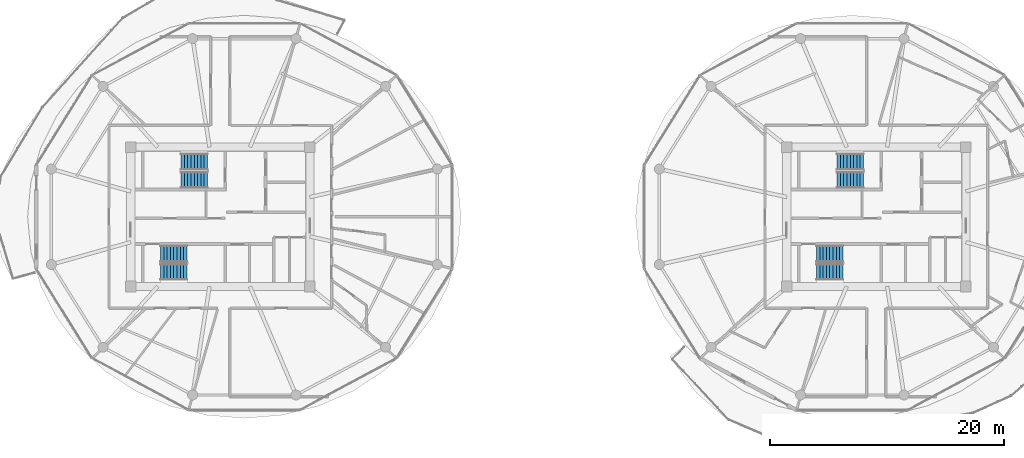
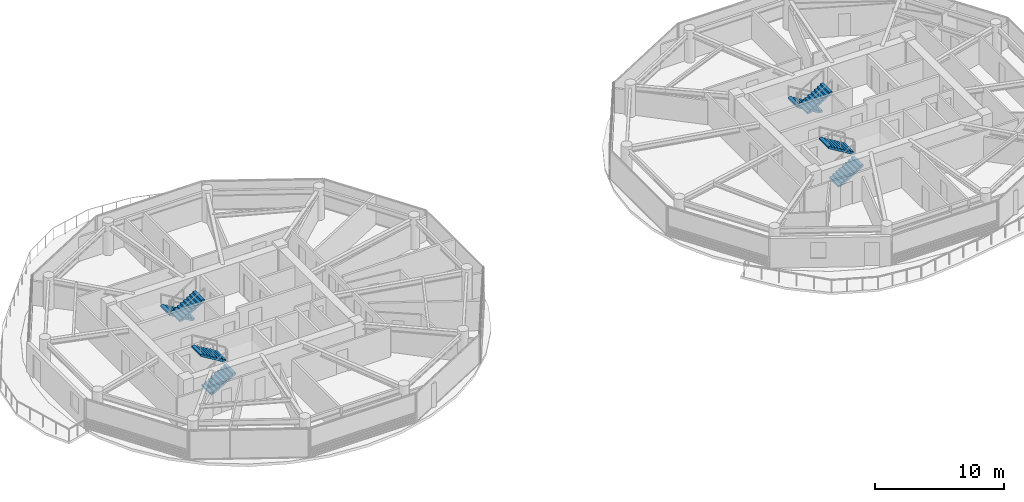
# One storey, part 18 of 22: 8 stair flights, 4 elements without a shape of their own.
"""IFC4 building model written with IfcOpenShell, lengths in metres."""

import ifcopenshell
import ifcopenshell.guid

model = None  # the IFC model being written
_history = None  # IfcOwnerHistory: only IFC2X3 demands one
_inside = {}  # id of a spatial element -> (the spatial element, [elements in it])
_under = {}  # id of a project, library or spatial element -> (it, [spatial elements below it])
_declared = {}  # id of a project -> (the project, [libraries it declares])
_typed = {}  # id of a type object -> (the type object, [elements of that type])
_made_of = {}  # id of a material, layer set ... -> (it, [elements and type objects made of it])


def new_model(schema):
    """Start an empty IFC model of exactly this schema.

    Asked for "IFC4X3", IfcOpenShell would pick the latest addendum, in which some entities
    have other attributes; the version numbers below select the first issue.
    IFC2X3 requires an IfcOwnerHistory on every rooted entity: one is made here for all.
    """
    global model, _history
    if schema == "IFC4X3":
        model = ifcopenshell.file(schema_version=(4, 3, 0, 0))
    else:
        model = ifcopenshell.file(schema=schema)
    _inside.clear()
    _under.clear()
    _declared.clear()
    _typed.clear()
    _made_of.clear()
    _history = None
    if model.schema == "IFC2X3":
        org = make("IfcOrganization", Name="unknown")
        user = make(
            "IfcPersonAndOrganization",
            ThePerson=make("IfcPerson", FamilyName="unknown"),
            TheOrganization=org,
        )
        app = make(
            "IfcApplication",
            ApplicationDeveloper=org,
            Version="unknown",
            ApplicationFullName="unknown",
            ApplicationIdentifier="unknown",
        )
        _history = make(
            "IfcOwnerHistory",
            OwningUser=user,
            OwningApplication=app,
            ChangeAction="ADDED",
            CreationDate=0,
        )
    return model


def make(cls, **values):
    """One entity of the class cls with the attributes given. An attribute that is None is left unset."""
    return model.create_entity(
        cls, **{name: value for name, value in values.items() if value is not None}
    )


def rooted(cls, **values):
    """An entity with a GlobalId (a new one), such as an element, a storey or a relation."""
    return make(cls, GlobalId=ifcopenshell.guid.new(), OwnerHistory=_history, **values)


def si_unit(unit_type, name, prefix=None):
    """IfcSIUnit, for example si_unit("LENGTHUNIT", "METRE", prefix="MILLI")."""
    return make("IfcSIUnit", UnitType=unit_type, Prefix=prefix, Name=name)


def assignment(units):
    """IfcUnitAssignment: the units of a project."""
    return None if units is None else make("IfcUnitAssignment", Units=units)


def point(xyz):
    """IfcCartesianPoint."""
    return None if xyz is None else make("IfcCartesianPoint", Coordinates=xyz)


def direction(xyz):
    """IfcDirection."""
    return None if xyz is None else make("IfcDirection", DirectionRatios=xyz)


def frame(location, z_axis=None, x_axis=None):
    """IfcAxis2Placement3D, a coordinate frame: its origin and axes. An axis left out is left unset."""
    return make(
        "IfcAxis2Placement3D",
        Location=point(location),
        Axis=direction(z_axis),
        RefDirection=direction(x_axis),
    )


def origin():
    """The frame at (0, 0, 0) with its axes left unset."""
    return frame((0.0, 0.0, 0.0))


def place(relative_to, where):
    """IfcLocalPlacement: puts the frame where relative to a parent placement (None: the world)."""
    return make(
        "IfcLocalPlacement", PlacementRelTo=relative_to, RelativePlacement=where
    )


def context(
    kind, dimensions, precision=None, world=None, true_north=None, identifier=None
):
    """IfcGeometricRepresentationContext, for example the 3D "Model" context."""
    return make(
        "IfcGeometricRepresentationContext",
        ContextIdentifier=identifier,
        ContextType=kind,
        CoordinateSpaceDimension=dimensions,
        Precision=precision,
        WorldCoordinateSystem=world,
        TrueNorth=true_north,
    )


def subcontext(parent, identifier, kind, view, scale=None):
    """IfcGeometricRepresentationSubContext, for example "Body" below "Model"."""
    return make(
        "IfcGeometricRepresentationSubContext",
        ContextIdentifier=identifier,
        ContextType=kind,
        ParentContext=parent,
        TargetScale=scale,
        TargetView=view,
    )


def project(units=None, contexts=None):
    """IfcProject with its units and contexts."""
    return rooted(
        "IfcProject",
        Name="project",
        RepresentationContexts=contexts,
        UnitsInContext=assignment(units),
    )


def spatial(cls, under=None, at=None, **own):
    """A site, building, storey or space (cls), placed at a placement, below another one or the project."""
    s = rooted(cls, ObjectPlacement=at, **own)
    if under is not None:
        _under.setdefault(under.id(), (under, []))[1].append(s)
    return s


def polyline(points):
    """IfcPolyline through the points."""
    return make("IfcPolyline", Points=[point(p) for p in points])


def outline(outer, holes=None, kind="AREA"):
    """IfcArbitraryClosedProfileDef: a profile drawn as a closed curve; with holes, ...WithVoids."""
    if holes is None:
        return make("IfcArbitraryClosedProfileDef", ProfileType=kind, OuterCurve=outer)
    return make(
        "IfcArbitraryProfileDefWithVoids",
        ProfileType=kind,
        OuterCurve=outer,
        InnerCurves=holes,
    )


def extrude(swept, where, along, depth):
    """IfcExtrudedAreaSolid: the profile swept, set in the frame where, extruded along a direction by depth."""
    return make(
        "IfcExtrudedAreaSolid",
        SweptArea=swept,
        Position=where,
        ExtrudedDirection=direction(along),
        Depth=depth,
    )


def shape(context_of_items, identifier, shape_type, items):
    """IfcShapeRepresentation: the items that make up one representation, for example the "Body"."""
    return make(
        "IfcShapeRepresentation",
        ContextOfItems=context_of_items,
        RepresentationIdentifier=identifier,
        RepresentationType=shape_type,
        Items=items,
    )


def material(Name=None, Category=None):
    """IfcMaterial."""
    return make("IfcMaterial", Name=Name, Category=Category)


def made_of(thing, what):
    """Note that an element or type object is made of a material, layer set ...; save() writes the relation."""
    if what is not None:
        _made_of.setdefault(what.id(), (what, []))[1].append(thing)
    return thing


def type_object(cls, material=None, **own):
    """A type object (cls), such as IfcWallType, which elements share."""
    return made_of(rooted(cls, **own), material)


def element(
    cls,
    number,
    at=None,
    inside=None,
    cuts=None,
    type_object=None,
    material=None,
    context=None,
    identifier="Body",
    shape_type=None,
    held_by="IfcProductDefinitionShape",
    body=None,
    shapes=None,
    **own,
):
    """One element of the class cls, such as IfcWall. Its Tag is "e" and its number.

    at: its placement. inside: the storey or other place that contains it. cuts: it is an
    opening in that element (IfcRelVoidsElement). A single representation is given by context,
    identifier, shape_type and body (its items); several are given by shapes. held_by: the class
    of the entity that holds the representations. save() writes the other relations.
    """
    e = rooted(cls, Tag="e%d" % number, ObjectPlacement=at, **own)
    if body is not None:
        shapes = [shape(context, identifier, shape_type, body)]
    if shapes is not None:
        e.Representation = make(held_by, Representations=shapes)
    if inside is not None:
        _inside.setdefault(inside.id(), (inside, []))[1].append(e)
    if cuts is not None:
        rooted(
            "IfcRelVoidsElement", RelatingBuildingElement=cuts, RelatedOpeningElement=e
        )
    if type_object is not None:
        _typed.setdefault(type_object.id(), (type_object, []))[1].append(e)
    return made_of(e, material)


def aggregate(whole, parts):
    """IfcRelAggregates: a whole, such as a stair, and the parts it consists of."""
    return rooted("IfcRelAggregates", RelatingObject=whole, RelatedObjects=parts)


def save(model, path):
    """Write the relations noted so far, then the file.

    IfcRelAggregates (storeys below a building ...), IfcRelContainedInSpatialStructure (elements
    in a storey), IfcRelDefinesByType, IfcRelAssociatesMaterial and IfcRelDeclares: one each for
    every whole, place, type object, material and project.
    """
    for whole, parts in _under.values():
        aggregate(whole, parts)
    for where, things in _inside.values():
        rooted(
            "IfcRelContainedInSpatialStructure",
            RelatedElements=things,
            RelatingStructure=where,
        )
    for kind, things in _typed.values():
        rooted("IfcRelDefinesByType", RelatedObjects=things, RelatingType=kind)
    for what, things in _made_of.values():
        rooted("IfcRelAssociatesMaterial", RelatedObjects=things, RelatingMaterial=what)
    for by, libraries in _declared.values():
        rooted("IfcRelDeclares", RelatingContext=by, RelatedDefinitions=libraries)
    model.write(path)


model = new_model("IFC4")

# Units and contexts
model_context = context("Model", 3, precision=1e-05, world=origin(), true_north=direction((0.0, 1.0)))
body_context = subcontext(model_context, "Body", "Model", "MODEL_VIEW")
ifc_project = project(units=[si_unit("LENGTHUNIT", "METRE"), si_unit("AREAUNIT", "SQUARE_METRE"), si_unit("VOLUMEUNIT", "CUBIC_METRE"), si_unit("PLANEANGLEUNIT", "RADIAN"), si_unit("MASSUNIT", "GRAM", prefix="KILO")], contexts=[model_context])

# Site, building, storey
site_placement = place(None, origin())
site = spatial("IfcSite", under=ifc_project, at=site_placement, CompositionType="ELEMENT")
building_placement = place(site_placement, origin())
building = spatial("IfcBuilding", under=site, at=building_placement, Name="Norrkilde Senior Care Towers", CompositionType="ELEMENT")
storey_placement = place(building_placement, frame((0.0, 0.0, 87.10009765625)))
storey = spatial("IfcBuildingStorey", under=building, at=storey_placement, Name="L26", CompositionType="ELEMENT", Elevation=87.10009765625)

# Stair, stair flights
ifc_material = material(Name="Concrete C45/55", Category="concrete")
stair_type = type_object("IfcStairType", Name="Core Protected Dogleg Stair Typical 3050", PredefinedType="HALF_TURN_STAIR", material=ifc_material)
stair_1_placement = place(storey_placement, origin())
stair_1 = element("IfcStair", 1, at=stair_1_placement, inside=storey, type_object=stair_type, Name="L26 Protected Core Stair W1", PredefinedType="HALF_TURN_STAIR")
stair_flight_type = type_object("IfcStairFlightType", Name="Core Protected Dogleg Stair Typical 3050 Flight", PredefinedType="STRAIGHT", material=ifc_material)
stair_flight_1_placement = place(storey_placement, frame((-29.10009765625, 4.699951171875, 0.0), z_axis=(0.0, 0.0, 1.0), x_axis=(-1.0, 0.0, 0.0)))
stair_flight_1 = element("IfcStairFlight", 2, at=stair_flight_1_placement, type_object=stair_flight_type, Name="ST-W1 flight 1", NumberOfRisers=9, NumberOfTreads=8, PredefinedType="STRAIGHT", RiserHeight=0.169444444, TreadLength=0.28, context=body_context, shape_type="SweptSolid", body=[
    extrude(outline(polyline([(0.0, 0.0), (0.0, 0.16943359375), (0.280029296875, 0.16943359375), (0.280029296875, 0.3388671875), (0.56005859375, 0.3388671875), (0.56005859375, 0.50830078125), (0.840087890625, 0.50830078125), (0.840087890625, 0.677734375), (1.1201171875, 0.677734375), (1.1201171875, 0.84716796875), (1.39990234375, 0.84716796875), (1.39990234375, 1.0166015625), (1.679931640625, 1.0166015625), (1.679931640625, 1.18603515625), (1.9599609375, 1.18603515625), (1.9599609375, 1.35546875), (2.239990234375, 1.35546875), (2.239990234375, 1.52490234375), (2.239990234375, 1.180419921875), (0.28955078125, 0.0), (0.0, 0.0)])), frame((0.0, 0.699951171875, 0.0), z_axis=(0.0, -1.0, 0.0), x_axis=(1.0, 0.0, 0.0)), (0.0, 0.0, 1.0), 1.39990234375),
])
stair_flight_2_placement = place(storey_placement, frame((-31.340087890625, 3.14990234375, 1.52490234375), z_axis=(0.0, 0.0, 1.0), x_axis=(1.0, 0.0, 0.0)))
stair_flight_2 = element("IfcStairFlight", 3, at=stair_flight_2_placement, type_object=stair_flight_type, Name="ST-W1 flight 2", NumberOfRisers=9, NumberOfTreads=8, PredefinedType="STRAIGHT", RiserHeight=0.169444444, TreadLength=0.28, context=body_context, shape_type="SweptSolid", body=[
    extrude(outline(polyline([(0.0, 0.0), (0.0, 0.16943359375), (0.280029296875, 0.16943359375), (0.280029296875, 0.3388671875), (0.56005859375, 0.3388671875), (0.56005859375, 0.50830078125), (0.840087890625, 0.50830078125), (0.840087890625, 0.677734375), (1.1201171875, 0.677734375), (1.1201171875, 0.84716796875), (1.39990234375, 0.84716796875), (1.39990234375, 1.0166015625), (1.679931640625, 1.0166015625), (1.679931640625, 1.18603515625), (1.9599609375, 1.18603515625), (1.9599609375, 1.35546875), (2.239990234375, 1.35546875), (2.239990234375, 1.52490234375), (2.239990234375, 1.180419921875), (0.28955078125, 0.0), (0.0, 0.0)])), frame((0.0, 0.699951171875, 0.0), z_axis=(0.0, -1.0, 0.0), x_axis=(1.0, 0.0, 0.0)), (0.0, 0.0, 1.0), 1.39990234375),
])
aggregate(stair_1, [stair_flight_1, stair_flight_2])

stair_2_placement = place(storey_placement, origin())
stair_2 = element("IfcStair", 4, at=stair_2_placement, inside=storey, type_object=stair_type, Name="L26 Protected Core Stair W2", PredefinedType="HALF_TURN_STAIR")
stair_flight_3_placement = place(storey_placement, frame((-33.10009765625, -4.699951171875, 0.0), z_axis=(0.0, 0.0, 1.0), x_axis=(1.0, 0.0, 0.0)))
stair_flight_3 = element("IfcStairFlight", 5, at=stair_flight_3_placement, type_object=stair_flight_type, Name="ST-W2 flight 1", NumberOfRisers=9, NumberOfTreads=8, PredefinedType="STRAIGHT", RiserHeight=0.169444444, TreadLength=0.28, context=body_context, shape_type="SweptSolid", body=[
    extrude(outline(polyline([(0.0, 0.0), (0.0, 0.16943359375), (0.280029296875, 0.16943359375), (0.280029296875, 0.3388671875), (0.56005859375, 0.3388671875), (0.56005859375, 0.50830078125), (0.840087890625, 0.50830078125), (0.840087890625, 0.677734375), (1.1201171875, 0.677734375), (1.1201171875, 0.84716796875), (1.39990234375, 0.84716796875), (1.39990234375, 1.0166015625), (1.679931640625, 1.0166015625), (1.679931640625, 1.18603515625), (1.9599609375, 1.18603515625), (1.9599609375, 1.35546875), (2.239990234375, 1.35546875), (2.239990234375, 1.52490234375), (2.239990234375, 1.180419921875), (0.28955078125, 0.0), (0.0, 0.0)])), frame((0.0, 0.699951171875, 0.0), z_axis=(0.0, -1.0, 0.0), x_axis=(1.0, 0.0, 0.0)), (0.0, 0.0, 1.0), 1.39990234375),
])
stair_flight_4_placement = place(storey_placement, frame((-30.860107421875, -3.14990234375, 1.52490234375), z_axis=(0.0, 0.0, 1.0), x_axis=(-1.0, 0.0, 0.0)))
stair_flight_4 = element("IfcStairFlight", 6, at=stair_flight_4_placement, type_object=stair_flight_type, Name="ST-W2 flight 2", NumberOfRisers=9, NumberOfTreads=8, PredefinedType="STRAIGHT", RiserHeight=0.169444444, TreadLength=0.28, context=body_context, shape_type="SweptSolid", body=[
    extrude(outline(polyline([(0.0, 0.0), (0.0, 0.16943359375), (0.280029296875, 0.16943359375), (0.280029296875, 0.3388671875), (0.56005859375, 0.3388671875), (0.56005859375, 0.50830078125), (0.840087890625, 0.50830078125), (0.840087890625, 0.677734375), (1.1201171875, 0.677734375), (1.1201171875, 0.84716796875), (1.39990234375, 0.84716796875), (1.39990234375, 1.0166015625), (1.679931640625, 1.0166015625), (1.679931640625, 1.18603515625), (1.9599609375, 1.18603515625), (1.9599609375, 1.35546875), (2.239990234375, 1.35546875), (2.239990234375, 1.52490234375), (2.239990234375, 1.180419921875), (0.28955078125, 0.0), (0.0, 0.0)])), frame((0.0, 0.699951171875, 0.0), z_axis=(0.0, -1.0, 0.0), x_axis=(1.0, 0.0, 0.0)), (0.0, 0.0, 1.0), 1.39990234375),
])
aggregate(stair_2, [stair_flight_3, stair_flight_4])

stair_3_placement = place(storey_placement, origin())
stair_3 = element("IfcStair", 7, at=stair_3_placement, inside=storey, type_object=stair_type, Name="L26 Protected Core Stair E1", PredefinedType="HALF_TURN_STAIR")
stair_flight_5_placement = place(storey_placement, frame((26.89990234375, 4.699951171875, 0.0), z_axis=(0.0, 0.0, 1.0), x_axis=(-1.0, 0.0, 0.0)))
stair_flight_5 = element("IfcStairFlight", 8, at=stair_flight_5_placement, type_object=stair_flight_type, Name="ST-E1 flight 1", NumberOfRisers=9, NumberOfTreads=8, PredefinedType="STRAIGHT", RiserHeight=0.169444444, TreadLength=0.28, context=body_context, shape_type="SweptSolid", body=[
    extrude(outline(polyline([(0.0, 0.0), (0.0, 0.16943359375), (0.280029296875, 0.16943359375), (0.280029296875, 0.3388671875), (0.56005859375, 0.3388671875), (0.56005859375, 0.50830078125), (0.840087890625, 0.50830078125), (0.840087890625, 0.677734375), (1.1201171875, 0.677734375), (1.1201171875, 0.84716796875), (1.39990234375, 0.84716796875), (1.39990234375, 1.0166015625), (1.679931640625, 1.0166015625), (1.679931640625, 1.18603515625), (1.9599609375, 1.18603515625), (1.9599609375, 1.35546875), (2.239990234375, 1.35546875), (2.239990234375, 1.52490234375), (2.239990234375, 1.180419921875), (0.28955078125, 0.0), (0.0, 0.0)])), frame((0.0, 0.699951171875, 0.0), z_axis=(0.0, -1.0, 0.0), x_axis=(1.0, 0.0, 0.0)), (0.0, 0.0, 1.0), 1.39990234375),
])
stair_flight_6_placement = place(storey_placement, frame((24.659912109375, 3.14990234375, 1.52490234375), z_axis=(0.0, 0.0, 1.0), x_axis=(1.0, 0.0, 0.0)))
stair_flight_6 = element("IfcStairFlight", 9, at=stair_flight_6_placement, type_object=stair_flight_type, Name="ST-E1 flight 2", NumberOfRisers=9, NumberOfTreads=8, PredefinedType="STRAIGHT", RiserHeight=0.169444444, TreadLength=0.28, context=body_context, shape_type="SweptSolid", body=[
    extrude(outline(polyline([(0.0, 0.0), (0.0, 0.16943359375), (0.280029296875, 0.16943359375), (0.280029296875, 0.3388671875), (0.56005859375, 0.3388671875), (0.56005859375, 0.50830078125), (0.840087890625, 0.50830078125), (0.840087890625, 0.677734375), (1.1201171875, 0.677734375), (1.1201171875, 0.84716796875), (1.39990234375, 0.84716796875), (1.39990234375, 1.0166015625), (1.679931640625, 1.0166015625), (1.679931640625, 1.18603515625), (1.9599609375, 1.18603515625), (1.9599609375, 1.35546875), (2.239990234375, 1.35546875), (2.239990234375, 1.52490234375), (2.239990234375, 1.180419921875), (0.28955078125, 0.0), (0.0, 0.0)])), frame((0.0, 0.699951171875, 0.0), z_axis=(0.0, -1.0, 0.0), x_axis=(1.0, 0.0, 0.0)), (0.0, 0.0, 1.0), 1.39990234375),
])
aggregate(stair_3, [stair_flight_5, stair_flight_6])

stair_4_placement = place(storey_placement, origin())
stair_4 = element("IfcStair", 10, at=stair_4_placement, inside=storey, type_object=stair_type, Name="L26 Protected Core Stair E2", PredefinedType="HALF_TURN_STAIR")
stair_flight_7_placement = place(storey_placement, frame((22.89990234375, -4.699951171875, 0.0), z_axis=(0.0, 0.0, 1.0), x_axis=(1.0, 0.0, 0.0)))
stair_flight_7 = element("IfcStairFlight", 11, at=stair_flight_7_placement, type_object=stair_flight_type, Name="ST-E2 flight 1", NumberOfRisers=9, NumberOfTreads=8, PredefinedType="STRAIGHT", RiserHeight=0.169444444, TreadLength=0.28, context=body_context, shape_type="SweptSolid", body=[
    extrude(outline(polyline([(0.0, 0.0), (0.0, 0.16943359375), (0.280029296875, 0.16943359375), (0.280029296875, 0.3388671875), (0.56005859375, 0.3388671875), (0.56005859375, 0.50830078125), (0.840087890625, 0.50830078125), (0.840087890625, 0.677734375), (1.1201171875, 0.677734375), (1.1201171875, 0.84716796875), (1.39990234375, 0.84716796875), (1.39990234375, 1.0166015625), (1.679931640625, 1.0166015625), (1.679931640625, 1.18603515625), (1.9599609375, 1.18603515625), (1.9599609375, 1.35546875), (2.239990234375, 1.35546875), (2.239990234375, 1.52490234375), (2.239990234375, 1.180419921875), (0.28955078125, 0.0), (0.0, 0.0)])), frame((0.0, 0.699951171875, 0.0), z_axis=(0.0, -1.0, 0.0), x_axis=(1.0, 0.0, 0.0)), (0.0, 0.0, 1.0), 1.39990234375),
])
stair_flight_8_placement = place(storey_placement, frame((25.139892578125, -3.14990234375, 1.52490234375), z_axis=(0.0, 0.0, 1.0), x_axis=(-1.0, 0.0, 0.0)))
stair_flight_8 = element("IfcStairFlight", 12, at=stair_flight_8_placement, type_object=stair_flight_type, Name="ST-E2 flight 2", NumberOfRisers=9, NumberOfTreads=8, PredefinedType="STRAIGHT", RiserHeight=0.169444444, TreadLength=0.28, context=body_context, shape_type="SweptSolid", body=[
    extrude(outline(polyline([(0.0, 0.0), (0.0, 0.16943359375), (0.280029296875, 0.16943359375), (0.280029296875, 0.3388671875), (0.56005859375, 0.3388671875), (0.56005859375, 0.50830078125), (0.840087890625, 0.50830078125), (0.840087890625, 0.677734375), (1.1201171875, 0.677734375), (1.1201171875, 0.84716796875), (1.39990234375, 0.84716796875), (1.39990234375, 1.0166015625), (1.679931640625, 1.0166015625), (1.679931640625, 1.18603515625), (1.9599609375, 1.18603515625), (1.9599609375, 1.35546875), (2.239990234375, 1.35546875), (2.239990234375, 1.52490234375), (2.239990234375, 1.180419921875), (0.28955078125, 0.0), (0.0, 0.0)])), frame((0.0, 0.699951171875, 0.0), z_axis=(0.0, -1.0, 0.0), x_axis=(1.0, 0.0, 0.0)), (0.0, 0.0, 1.0), 1.39990234375),
])
aggregate(stair_4, [stair_flight_7, stair_flight_8])

save(model, "model.ifc")
